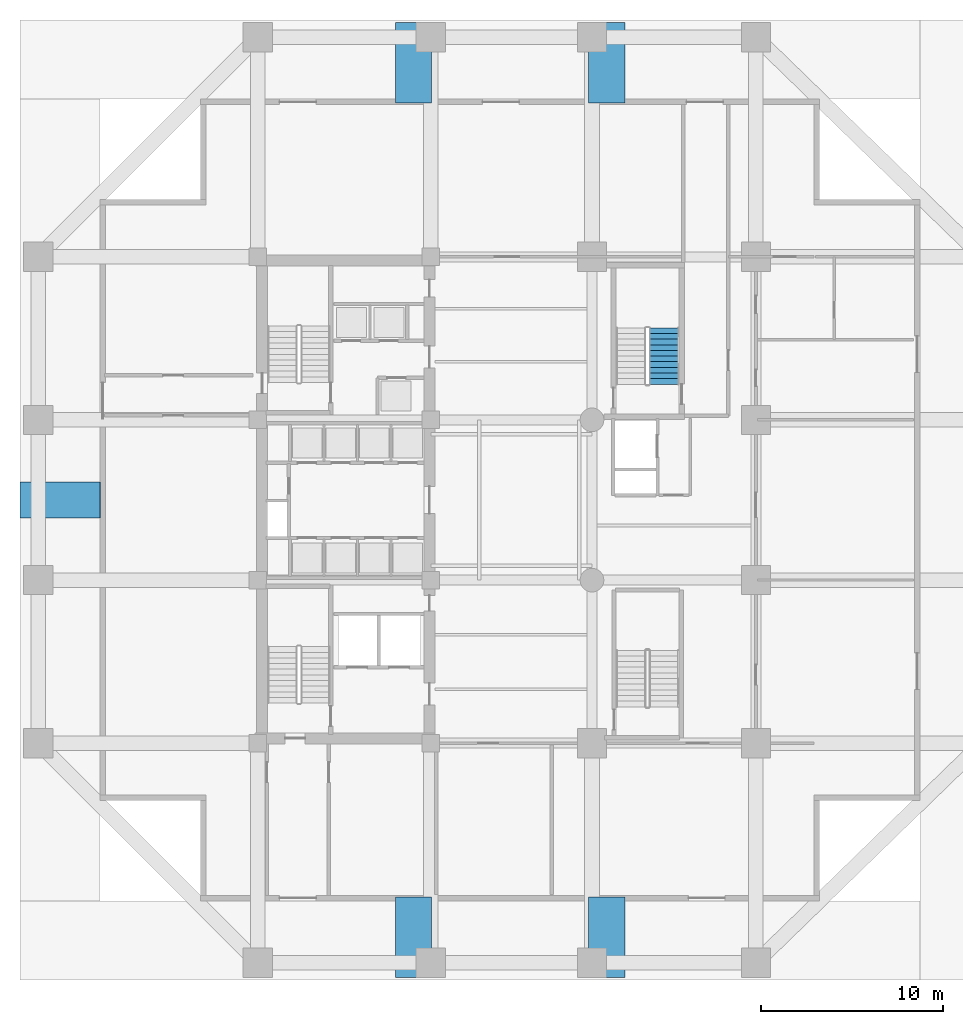
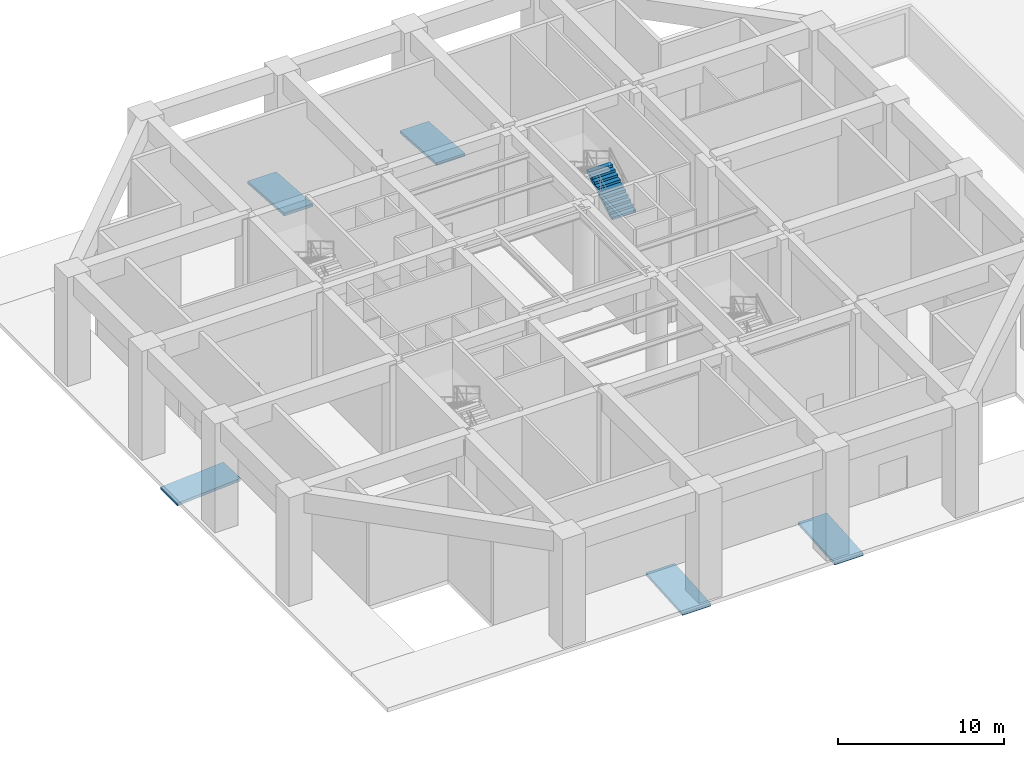
# One storey, part 7 of 10: 5 ramp flights, 1 stair flight, 6 elements without a shape of their own.
"""IFC4 building model written with IfcOpenShell, lengths in metres."""

import ifcopenshell
import ifcopenshell.guid

model = None  # the IFC model being written
_history = None  # IfcOwnerHistory: only IFC2X3 demands one
_inside = {}  # id of a spatial element -> (the spatial element, [elements in it])
_under = {}  # id of a project, library or spatial element -> (it, [spatial elements below it])
_declared = {}  # id of a project -> (the project, [libraries it declares])
_typed = {}  # id of a type object -> (the type object, [elements of that type])
_made_of = {}  # id of a material, layer set ... -> (it, [elements and type objects made of it])


def new_model(schema):
    """Start an empty IFC model of exactly this schema.

    Asked for "IFC4X3", IfcOpenShell would pick the latest addendum, in which some entities
    have other attributes; the version numbers below select the first issue.
    IFC2X3 requires an IfcOwnerHistory on every rooted entity: one is made here for all.
    """
    global model, _history
    if schema == "IFC4X3":
        model = ifcopenshell.file(schema_version=(4, 3, 0, 0))
    else:
        model = ifcopenshell.file(schema=schema)
    _inside.clear()
    _under.clear()
    _declared.clear()
    _typed.clear()
    _made_of.clear()
    _history = None
    if model.schema == "IFC2X3":
        org = make("IfcOrganization", Name="unknown")
        user = make(
            "IfcPersonAndOrganization",
            ThePerson=make("IfcPerson", FamilyName="unknown"),
            TheOrganization=org,
        )
        app = make(
            "IfcApplication",
            ApplicationDeveloper=org,
            Version="unknown",
            ApplicationFullName="unknown",
            ApplicationIdentifier="unknown",
        )
        _history = make(
            "IfcOwnerHistory",
            OwningUser=user,
            OwningApplication=app,
            ChangeAction="ADDED",
            CreationDate=0,
        )
    return model


def make(cls, **values):
    """One entity of the class cls with the attributes given. An attribute that is None is left unset."""
    return model.create_entity(
        cls, **{name: value for name, value in values.items() if value is not None}
    )


def rooted(cls, **values):
    """An entity with a GlobalId (a new one), such as an element, a storey or a relation."""
    return make(cls, GlobalId=ifcopenshell.guid.new(), OwnerHistory=_history, **values)


def si_unit(unit_type, name, prefix=None):
    """IfcSIUnit, for example si_unit("LENGTHUNIT", "METRE", prefix="MILLI")."""
    return make("IfcSIUnit", UnitType=unit_type, Prefix=prefix, Name=name)


def assignment(units):
    """IfcUnitAssignment: the units of a project."""
    return None if units is None else make("IfcUnitAssignment", Units=units)


def point(xyz):
    """IfcCartesianPoint."""
    return None if xyz is None else make("IfcCartesianPoint", Coordinates=xyz)


def direction(xyz):
    """IfcDirection."""
    return None if xyz is None else make("IfcDirection", DirectionRatios=xyz)


def frame(location, z_axis=None, x_axis=None):
    """IfcAxis2Placement3D, a coordinate frame: its origin and axes. An axis left out is left unset."""
    return make(
        "IfcAxis2Placement3D",
        Location=point(location),
        Axis=direction(z_axis),
        RefDirection=direction(x_axis),
    )


def origin():
    """The frame at (0, 0, 0) with its axes left unset."""
    return frame((0.0, 0.0, 0.0))


def place(relative_to, where):
    """IfcLocalPlacement: puts the frame where relative to a parent placement (None: the world)."""
    return make(
        "IfcLocalPlacement", PlacementRelTo=relative_to, RelativePlacement=where
    )


def context(
    kind, dimensions, precision=None, world=None, true_north=None, identifier=None
):
    """IfcGeometricRepresentationContext, for example the 3D "Model" context."""
    return make(
        "IfcGeometricRepresentationContext",
        ContextIdentifier=identifier,
        ContextType=kind,
        CoordinateSpaceDimension=dimensions,
        Precision=precision,
        WorldCoordinateSystem=world,
        TrueNorth=true_north,
    )


def subcontext(parent, identifier, kind, view, scale=None):
    """IfcGeometricRepresentationSubContext, for example "Body" below "Model"."""
    return make(
        "IfcGeometricRepresentationSubContext",
        ContextIdentifier=identifier,
        ContextType=kind,
        ParentContext=parent,
        TargetScale=scale,
        TargetView=view,
    )


def project(units=None, contexts=None):
    """IfcProject with its units and contexts."""
    return rooted(
        "IfcProject",
        Name="project",
        RepresentationContexts=contexts,
        UnitsInContext=assignment(units),
    )


def spatial(cls, under=None, at=None, **own):
    """A site, building, storey or space (cls), placed at a placement, below another one or the project."""
    s = rooted(cls, ObjectPlacement=at, **own)
    if under is not None:
        _under.setdefault(under.id(), (under, []))[1].append(s)
    return s


def polyline(points):
    """IfcPolyline through the points."""
    return make("IfcPolyline", Points=[point(p) for p in points])


def outline(outer, holes=None, kind="AREA"):
    """IfcArbitraryClosedProfileDef: a profile drawn as a closed curve; with holes, ...WithVoids."""
    if holes is None:
        return make("IfcArbitraryClosedProfileDef", ProfileType=kind, OuterCurve=outer)
    return make(
        "IfcArbitraryProfileDefWithVoids",
        ProfileType=kind,
        OuterCurve=outer,
        InnerCurves=holes,
    )


def extrude(swept, where, along, depth):
    """IfcExtrudedAreaSolid: the profile swept, set in the frame where, extruded along a direction by depth."""
    return make(
        "IfcExtrudedAreaSolid",
        SweptArea=swept,
        Position=where,
        ExtrudedDirection=direction(along),
        Depth=depth,
    )


def shape(context_of_items, identifier, shape_type, items):
    """IfcShapeRepresentation: the items that make up one representation, for example the "Body"."""
    return make(
        "IfcShapeRepresentation",
        ContextOfItems=context_of_items,
        RepresentationIdentifier=identifier,
        RepresentationType=shape_type,
        Items=items,
    )


def material(Name=None, Category=None):
    """IfcMaterial."""
    return make("IfcMaterial", Name=Name, Category=Category)


def layer(
    of_material, thickness, ventilated=None, Name=None, Category=None, Priority=None
):
    """IfcMaterialLayer: one layer of a wall or slab, of a material (None: an air gap)."""
    return make(
        "IfcMaterialLayer",
        Material=of_material,
        LayerThickness=thickness,
        IsVentilated=ventilated,
        Name=Name,
        Category=Category,
        Priority=Priority,
    )


def layer_set(layers, Name=None):
    """IfcMaterialLayerSet."""
    return make("IfcMaterialLayerSet", MaterialLayers=layers, LayerSetName=Name)


def made_of(thing, what):
    """Note that an element or type object is made of a material, layer set ...; save() writes the relation."""
    if what is not None:
        _made_of.setdefault(what.id(), (what, []))[1].append(thing)
    return thing


def type_object(cls, material=None, **own):
    """A type object (cls), such as IfcWallType, which elements share."""
    return made_of(rooted(cls, **own), material)


def element(
    cls,
    number,
    at=None,
    inside=None,
    cuts=None,
    type_object=None,
    material=None,
    context=None,
    identifier="Body",
    shape_type=None,
    held_by="IfcProductDefinitionShape",
    body=None,
    shapes=None,
    **own,
):
    """One element of the class cls, such as IfcWall. Its Tag is "e" and its number.

    at: its placement. inside: the storey or other place that contains it. cuts: it is an
    opening in that element (IfcRelVoidsElement). A single representation is given by context,
    identifier, shape_type and body (its items); several are given by shapes. held_by: the class
    of the entity that holds the representations. save() writes the other relations.
    """
    e = rooted(cls, Tag="e%d" % number, ObjectPlacement=at, **own)
    if body is not None:
        shapes = [shape(context, identifier, shape_type, body)]
    if shapes is not None:
        e.Representation = make(held_by, Representations=shapes)
    if inside is not None:
        _inside.setdefault(inside.id(), (inside, []))[1].append(e)
    if cuts is not None:
        rooted(
            "IfcRelVoidsElement", RelatingBuildingElement=cuts, RelatedOpeningElement=e
        )
    if type_object is not None:
        _typed.setdefault(type_object.id(), (type_object, []))[1].append(e)
    return made_of(e, material)


def aggregate(whole, parts):
    """IfcRelAggregates: a whole, such as a stair, and the parts it consists of."""
    return rooted("IfcRelAggregates", RelatingObject=whole, RelatedObjects=parts)


def save(model, path):
    """Write the relations noted so far, then the file.

    IfcRelAggregates (storeys below a building ...), IfcRelContainedInSpatialStructure (elements
    in a storey), IfcRelDefinesByType, IfcRelAssociatesMaterial and IfcRelDeclares: one each for
    every whole, place, type object, material and project.
    """
    for whole, parts in _under.values():
        aggregate(whole, parts)
    for where, things in _inside.values():
        rooted(
            "IfcRelContainedInSpatialStructure",
            RelatedElements=things,
            RelatingStructure=where,
        )
    for kind, things in _typed.values():
        rooted("IfcRelDefinesByType", RelatedObjects=things, RelatingType=kind)
    for what, things in _made_of.values():
        rooted("IfcRelAssociatesMaterial", RelatedObjects=things, RelatingMaterial=what)
    for by, libraries in _declared.values():
        rooted("IfcRelDeclares", RelatingContext=by, RelatedDefinitions=libraries)
    model.write(path)


model = new_model("IFC4")

# Units and contexts
model_context = context("Model", 3, precision=1e-05, world=origin(), true_north=direction((0.0, 1.0)))
body_context = subcontext(model_context, "Body", "Model", "MODEL_VIEW")
ifc_project = project(units=[si_unit("LENGTHUNIT", "METRE"), si_unit("AREAUNIT", "SQUARE_METRE"), si_unit("VOLUMEUNIT", "CUBIC_METRE"), si_unit("PLANEANGLEUNIT", "RADIAN"), si_unit("MASSUNIT", "GRAM", prefix="KILO")], contexts=[model_context])

# Site, building, storey
site_placement = place(None, origin())
site = spatial("IfcSite", under=ifc_project, at=site_placement, CompositionType="ELEMENT")
building_placement = place(site_placement, origin())
building = spatial("IfcBuilding", under=site, at=building_placement, Name="Kundavana Baori Tower", CompositionType="ELEMENT")
storey_placement = place(building_placement, origin())
storey = spatial("IfcBuildingStorey", under=building, at=storey_placement, Name="L00", CompositionType="ELEMENT", Elevation=0.0)

# Stair, stair flight
ifc_material_1 = material(Name="Concrete C40/50", Category="concrete")
stair_type = type_object("IfcStairType", Name="STR-DOG-1650", PredefinedType="HALF_TURN_STAIR", material=ifc_material_1)
stair_placement = place(storey_placement, origin())
stair = element("IfcStair", 1, at=stair_placement, inside=storey, type_object=stair_type, Name="L00 Protected Exit Stair ST3", PredefinedType="HALF_TURN_STAIR")
ifc_material_2 = material(Name="Concrete C40/50", Category="concrete")
stair_flight_type = type_object("IfcStairFlightType", Name="SFL-RC-1650", PredefinedType="STRAIGHT", material=ifc_material_2)
stair_flight_placement = place(storey_placement, frame((37.7548828125, 34.949951171875, 4.0), z_axis=(0.0, 0.0, 1.0), x_axis=(0.0, 1.0, 0.0)))
stair_flight = element("IfcStairFlight", 2, at=stair_flight_placement, type_object=stair_flight_type, Name="ST3 flight 3", NumberOfRisers=11, NumberOfTreads=10, PredefinedType="STRAIGHT", RiserHeight=0.181818182, TreadLength=0.31, context=body_context, shape_type="SweptSolid", body=[
    extrude(outline(polyline([(0.0, 0.0), (0.0, 0.181884765625), (0.31005859375, 0.181884765625), (0.31005859375, 0.363525390625), (0.6201171875, 0.363525390625), (0.6201171875, 0.54541015625), (0.929931640625, 0.54541015625), (0.929931640625, 0.727294921875), (1.239990234375, 0.727294921875), (1.239990234375, 0.9091796875), (1.550048828125, 0.9091796875), (1.550048828125, 1.0908203125), (1.860107421875, 1.0908203125), (1.860107421875, 1.272705078125), (2.169921875, 1.272705078125), (2.169921875, 1.45458984375), (2.47998046875, 1.45458984375), (2.47998046875, 1.636474609375), (2.7900390625, 1.636474609375), (2.7900390625, 1.818115234375), (3.10009765625, 1.818115234375), (3.10009765625, 2.0), (3.10009765625, 1.644287109375), (0.29638671875, 0.0), (0.0, 0.0)])), frame((0.0, 0.824951171875, 0.0), z_axis=(0.0, -1.0, 0.0), x_axis=(1.0, 0.0, 0.0)), (0.0, 0.0, 1.0), 1.64990234375),
])
aggregate(stair, [stair_flight])

# Ramp, ramp flight
ifc_material_3 = material(Name="Concrete C40/50", Category="concrete")
ramp_type = type_object("IfcRampType", Name="RMP-PED-SYS", PredefinedType="STRAIGHT_RUN_RAMP", material=ifc_material_3)
ramp_1_placement = place(storey_placement, origin())
ramp_1 = element("IfcRamp", 3, at=ramp_1_placement, inside=storey, type_object=ramp_type, Name="Accessible Plaza Pedestrian Ramp PR-S1", PredefinedType="STRAIGHT_RUN_RAMP")
ifc_material_4 = material(Name="Concrete C40/50", Category="concrete")
ifc_layer = layer(ifc_material_4, 0.199951171875, Name="RFL-PED-200")
ifc_layer_set = layer_set([ifc_layer], Name="Concrete C40/50")
ramp_flight_type = type_object("IfcRampFlightType", Name="RFL-PED-200", PredefinedType="STRAIGHT", material=ifc_layer_set)
ramp_flight_1_placement = place(storey_placement, frame((23.0, 2.39990234375, -0.300048828125), z_axis=(0.0, -0.068032654037, 0.997683094968), x_axis=(1.0, 0.0, 0.0)))
ramp_flight_1 = element("IfcRampFlight", 4, at=ramp_flight_1_placement, type_object=ramp_flight_type, Name="Accessible Pedestrian Ramp Flight PR-S1", PredefinedType="STRAIGHT", context=body_context, shape_type="SweptSolid", body=[
    extrude(outline(polyline([(0.0, 0.0), (2.0, 0.0), (2.0, 4.410364880961309), (0.0, 4.410364880961309), (0.0, 0.0)])), origin(), (0.0, 0.0, -1.0), 0.199951171875),
])
aggregate(ramp_1, [ramp_flight_1])

ramp_2_placement = place(storey_placement, origin())
ramp_2 = element("IfcRamp", 5, at=ramp_2_placement, inside=storey, type_object=ramp_type, Name="Accessible Plaza Pedestrian Ramp PR-S2", PredefinedType="STRAIGHT_RUN_RAMP")
ramp_flight_2_placement = place(storey_placement, frame((33.60009765625, 2.39990234375, -0.300048828125), z_axis=(0.0, -0.068032654037, 0.997683094968), x_axis=(1.0, 0.0, 0.0)))
ramp_flight_2 = element("IfcRampFlight", 6, at=ramp_flight_2_placement, type_object=ramp_flight_type, Name="Accessible Pedestrian Ramp Flight PR-S2", PredefinedType="STRAIGHT", context=body_context, shape_type="SweptSolid", body=[
    extrude(outline(polyline([(0.0, 0.0), (2.0, 0.0), (2.0, 4.410364880961309), (0.0, 4.410364880961309), (0.0, 0.0)])), origin(), (0.0, 0.0, -1.0), 0.199951171875),
])
aggregate(ramp_2, [ramp_flight_2])

ramp_3_placement = place(storey_placement, origin())
ramp_3 = element("IfcRamp", 7, at=ramp_3_placement, inside=storey, type_object=ramp_type, Name="Accessible Plaza Pedestrian Ramp PR-W1", PredefinedType="STRAIGHT_RUN_RAMP")
ramp_flight_3_placement = place(storey_placement, frame((2.39990234375, 27.60009765625, -0.300048828125), z_axis=(-0.068032654037, 0.0, 0.997683094968), x_axis=(0.0, 1.0, 0.0)))
ramp_flight_3 = element("IfcRampFlight", 8, at=ramp_flight_3_placement, type_object=ramp_flight_type, Name="Accessible Pedestrian Ramp Flight PR-W1", PredefinedType="STRAIGHT", context=body_context, shape_type="SweptSolid", body=[
    extrude(outline(polyline([(0.0, 0.0), (2.0, 0.0), (2.0, -4.410364880961309), (0.0, -4.410364880961309), (0.0, 0.0)])), origin(), (0.0, 0.0, -1.0), 0.199951171875),
])
aggregate(ramp_3, [ramp_flight_3])

ramp_4_placement = place(storey_placement, origin())
ramp_4 = element("IfcRamp", 9, at=ramp_4_placement, inside=storey, type_object=ramp_type, Name="Accessible Plaza Pedestrian Ramp PR-N1", PredefinedType="STRAIGHT_RUN_RAMP")
ramp_flight_4_placement = place(storey_placement, frame((25.0, 54.800048828125, -0.300048828125), z_axis=(0.0, 0.068032654037, 0.997683094968), x_axis=(-1.0, 0.0, 0.0)))
ramp_flight_4 = element("IfcRampFlight", 10, at=ramp_flight_4_placement, type_object=ramp_flight_type, Name="Accessible Pedestrian Ramp Flight PR-N1", PredefinedType="STRAIGHT", context=body_context, shape_type="SweptSolid", body=[
    extrude(outline(polyline([(0.0, 0.0), (2.0, 0.0), (2.0, 4.410364880961309), (0.0, 4.410364880961309), (0.0, 0.0)])), origin(), (0.0, 0.0, -1.0), 0.199951171875),
])
aggregate(ramp_4, [ramp_flight_4])

ramp_5_placement = place(storey_placement, origin())
ramp_5 = element("IfcRamp", 11, at=ramp_5_placement, inside=storey, type_object=ramp_type, Name="Accessible Plaza Pedestrian Ramp PR-N2", PredefinedType="STRAIGHT_RUN_RAMP")
ramp_flight_5_placement = place(storey_placement, frame((35.60009765625, 54.800048828125, -0.300048828125), z_axis=(0.0, 0.068032654037, 0.997683094968), x_axis=(-1.0, 0.0, 0.0)))
ramp_flight_5 = element("IfcRampFlight", 12, at=ramp_flight_5_placement, type_object=ramp_flight_type, Name="Accessible Pedestrian Ramp Flight PR-N2", PredefinedType="STRAIGHT", context=body_context, shape_type="SweptSolid", body=[
    extrude(outline(polyline([(0.0, 0.0), (2.0, 0.0), (2.0, 4.410364880961309), (0.0, 4.410364880961309), (0.0, 0.0)])), origin(), (0.0, 0.0, -1.0), 0.199951171875),
])
aggregate(ramp_5, [ramp_flight_5])

save(model, "model.ifc")
